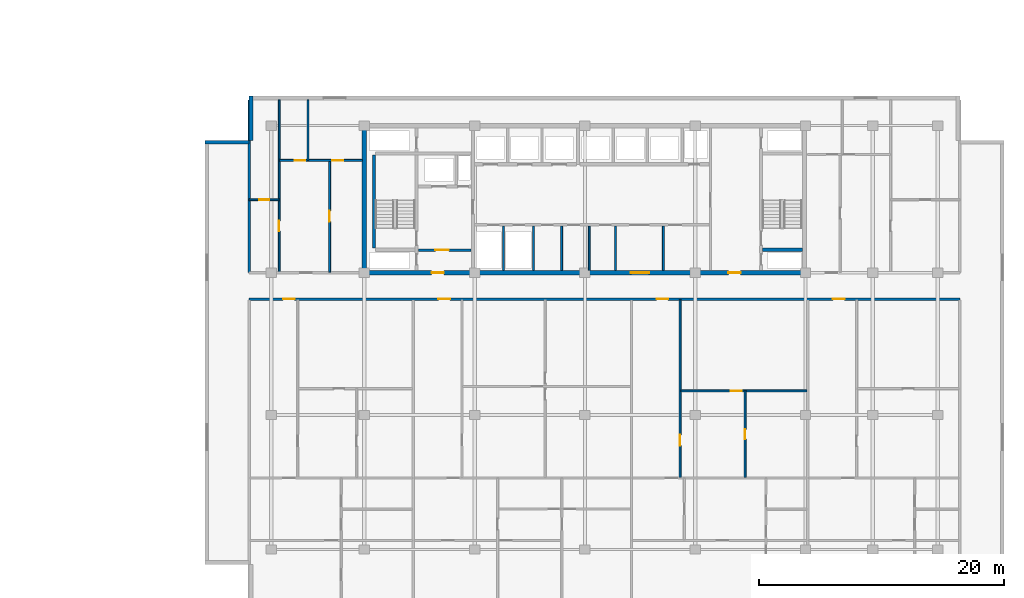
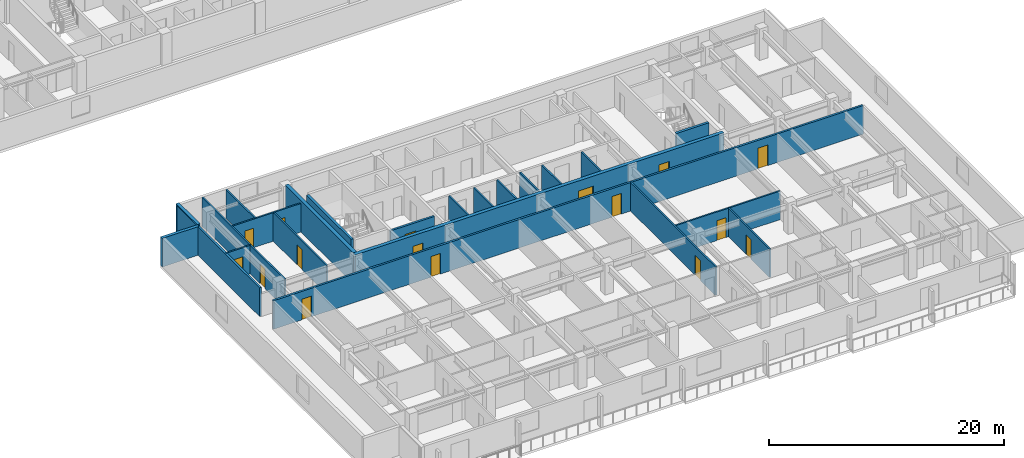
# One storey, part 6 of 22: 23 walls, 16 doors, 16 openings.
"""IFC4 building model written with IfcOpenShell, lengths in metres."""

import ifcopenshell
import ifcopenshell.guid

model = None  # the IFC model being written
_history = None  # IfcOwnerHistory: only IFC2X3 demands one
_inside = {}  # id of a spatial element -> (the spatial element, [elements in it])
_under = {}  # id of a project, library or spatial element -> (it, [spatial elements below it])
_declared = {}  # id of a project -> (the project, [libraries it declares])
_typed = {}  # id of a type object -> (the type object, [elements of that type])
_made_of = {}  # id of a material, layer set ... -> (it, [elements and type objects made of it])


def new_model(schema):
    """Start an empty IFC model of exactly this schema.

    Asked for "IFC4X3", IfcOpenShell would pick the latest addendum, in which some entities
    have other attributes; the version numbers below select the first issue.
    IFC2X3 requires an IfcOwnerHistory on every rooted entity: one is made here for all.
    """
    global model, _history
    if schema == "IFC4X3":
        model = ifcopenshell.file(schema_version=(4, 3, 0, 0))
    else:
        model = ifcopenshell.file(schema=schema)
    _inside.clear()
    _under.clear()
    _declared.clear()
    _typed.clear()
    _made_of.clear()
    _history = None
    if model.schema == "IFC2X3":
        org = make("IfcOrganization", Name="unknown")
        user = make(
            "IfcPersonAndOrganization",
            ThePerson=make("IfcPerson", FamilyName="unknown"),
            TheOrganization=org,
        )
        app = make(
            "IfcApplication",
            ApplicationDeveloper=org,
            Version="unknown",
            ApplicationFullName="unknown",
            ApplicationIdentifier="unknown",
        )
        _history = make(
            "IfcOwnerHistory",
            OwningUser=user,
            OwningApplication=app,
            ChangeAction="ADDED",
            CreationDate=0,
        )
    return model


def make(cls, **values):
    """One entity of the class cls with the attributes given. An attribute that is None is left unset."""
    return model.create_entity(
        cls, **{name: value for name, value in values.items() if value is not None}
    )


def rooted(cls, **values):
    """An entity with a GlobalId (a new one), such as an element, a storey or a relation."""
    return make(cls, GlobalId=ifcopenshell.guid.new(), OwnerHistory=_history, **values)


def si_unit(unit_type, name, prefix=None):
    """IfcSIUnit, for example si_unit("LENGTHUNIT", "METRE", prefix="MILLI")."""
    return make("IfcSIUnit", UnitType=unit_type, Prefix=prefix, Name=name)


def assignment(units):
    """IfcUnitAssignment: the units of a project."""
    return None if units is None else make("IfcUnitAssignment", Units=units)


def point(xyz):
    """IfcCartesianPoint."""
    return None if xyz is None else make("IfcCartesianPoint", Coordinates=xyz)


def direction(xyz):
    """IfcDirection."""
    return None if xyz is None else make("IfcDirection", DirectionRatios=xyz)


def frame(location, z_axis=None, x_axis=None):
    """IfcAxis2Placement3D, a coordinate frame: its origin and axes. An axis left out is left unset."""
    return make(
        "IfcAxis2Placement3D",
        Location=point(location),
        Axis=direction(z_axis),
        RefDirection=direction(x_axis),
    )


def frame_2d(location, x_axis=None):
    """IfcAxis2Placement2D, a coordinate frame in the plane: its origin and x axis."""
    return make(
        "IfcAxis2Placement2D", Location=point(location), RefDirection=direction(x_axis)
    )


def origin():
    """The frame at (0, 0, 0) with its axes left unset."""
    return frame((0.0, 0.0, 0.0))


def place(relative_to, where):
    """IfcLocalPlacement: puts the frame where relative to a parent placement (None: the world)."""
    return make(
        "IfcLocalPlacement", PlacementRelTo=relative_to, RelativePlacement=where
    )


def context(
    kind, dimensions, precision=None, world=None, true_north=None, identifier=None
):
    """IfcGeometricRepresentationContext, for example the 3D "Model" context."""
    return make(
        "IfcGeometricRepresentationContext",
        ContextIdentifier=identifier,
        ContextType=kind,
        CoordinateSpaceDimension=dimensions,
        Precision=precision,
        WorldCoordinateSystem=world,
        TrueNorth=true_north,
    )


def subcontext(parent, identifier, kind, view, scale=None):
    """IfcGeometricRepresentationSubContext, for example "Body" below "Model"."""
    return make(
        "IfcGeometricRepresentationSubContext",
        ContextIdentifier=identifier,
        ContextType=kind,
        ParentContext=parent,
        TargetScale=scale,
        TargetView=view,
    )


def project(units=None, contexts=None):
    """IfcProject with its units and contexts."""
    return rooted(
        "IfcProject",
        Name="project",
        RepresentationContexts=contexts,
        UnitsInContext=assignment(units),
    )


def spatial(cls, under=None, at=None, **own):
    """A site, building, storey or space (cls), placed at a placement, below another one or the project."""
    s = rooted(cls, ObjectPlacement=at, **own)
    if under is not None:
        _under.setdefault(under.id(), (under, []))[1].append(s)
    return s


def profile(cls, at=None, kind="AREA", **sizes):
    """A parametric profile (cls). Its sizes go by their IFC names, for example OverallWidth=200.0."""
    return make(cls, ProfileType=kind, Position=at, **sizes)


def rectangle(**sizes):
    """IfcRectangleProfileDef."""
    return profile("IfcRectangleProfileDef", **sizes)


def extrude(swept, where, along, depth):
    """IfcExtrudedAreaSolid: the profile swept, set in the frame where, extruded along a direction by depth."""
    return make(
        "IfcExtrudedAreaSolid",
        SweptArea=swept,
        Position=where,
        ExtrudedDirection=direction(along),
        Depth=depth,
    )


def shape(context_of_items, identifier, shape_type, items):
    """IfcShapeRepresentation: the items that make up one representation, for example the "Body"."""
    return make(
        "IfcShapeRepresentation",
        ContextOfItems=context_of_items,
        RepresentationIdentifier=identifier,
        RepresentationType=shape_type,
        Items=items,
    )


def material(Name=None, Category=None):
    """IfcMaterial."""
    return make("IfcMaterial", Name=Name, Category=Category)


def layer(
    of_material, thickness, ventilated=None, Name=None, Category=None, Priority=None
):
    """IfcMaterialLayer: one layer of a wall or slab, of a material (None: an air gap)."""
    return make(
        "IfcMaterialLayer",
        Material=of_material,
        LayerThickness=thickness,
        IsVentilated=ventilated,
        Name=Name,
        Category=Category,
        Priority=Priority,
    )


def layer_set(layers, Name=None):
    """IfcMaterialLayerSet."""
    return make("IfcMaterialLayerSet", MaterialLayers=layers, LayerSetName=Name)


def made_of(thing, what):
    """Note that an element or type object is made of a material, layer set ...; save() writes the relation."""
    if what is not None:
        _made_of.setdefault(what.id(), (what, []))[1].append(thing)
    return thing


def type_object(cls, material=None, **own):
    """A type object (cls), such as IfcWallType, which elements share."""
    return made_of(rooted(cls, **own), material)


def element(
    cls,
    number,
    at=None,
    inside=None,
    cuts=None,
    type_object=None,
    material=None,
    context=None,
    identifier="Body",
    shape_type=None,
    held_by="IfcProductDefinitionShape",
    body=None,
    shapes=None,
    **own,
):
    """One element of the class cls, such as IfcWall. Its Tag is "e" and its number.

    at: its placement. inside: the storey or other place that contains it. cuts: it is an
    opening in that element (IfcRelVoidsElement). A single representation is given by context,
    identifier, shape_type and body (its items); several are given by shapes. held_by: the class
    of the entity that holds the representations. save() writes the other relations.
    """
    e = rooted(cls, Tag="e%d" % number, ObjectPlacement=at, **own)
    if body is not None:
        shapes = [shape(context, identifier, shape_type, body)]
    if shapes is not None:
        e.Representation = make(held_by, Representations=shapes)
    if inside is not None:
        _inside.setdefault(inside.id(), (inside, []))[1].append(e)
    if cuts is not None:
        rooted(
            "IfcRelVoidsElement", RelatingBuildingElement=cuts, RelatedOpeningElement=e
        )
    if type_object is not None:
        _typed.setdefault(type_object.id(), (type_object, []))[1].append(e)
    return made_of(e, material)


def fill(opening, filler):
    """IfcRelFillsElement: the door or window that sits in an opening."""
    return rooted(
        "IfcRelFillsElement",
        RelatingOpeningElement=opening,
        RelatedBuildingElement=filler,
    )


def aggregate(whole, parts):
    """IfcRelAggregates: a whole, such as a stair, and the parts it consists of."""
    return rooted("IfcRelAggregates", RelatingObject=whole, RelatedObjects=parts)


def save(model, path):
    """Write the relations noted so far, then the file.

    IfcRelAggregates (storeys below a building ...), IfcRelContainedInSpatialStructure (elements
    in a storey), IfcRelDefinesByType, IfcRelAssociatesMaterial and IfcRelDeclares: one each for
    every whole, place, type object, material and project.
    """
    for whole, parts in _under.values():
        aggregate(whole, parts)
    for where, things in _inside.values():
        rooted(
            "IfcRelContainedInSpatialStructure",
            RelatedElements=things,
            RelatingStructure=where,
        )
    for kind, things in _typed.values():
        rooted("IfcRelDefinesByType", RelatedObjects=things, RelatingType=kind)
    for what, things in _made_of.values():
        rooted("IfcRelAssociatesMaterial", RelatedObjects=things, RelatingMaterial=what)
    for by, libraries in _declared.values():
        rooted("IfcRelDeclares", RelatingContext=by, RelatedDefinitions=libraries)
    model.write(path)


model = new_model("IFC4")

# Units and contexts
model_context = context("Model", 3, precision=1e-05, world=origin(), true_north=direction((0.0, 1.0)))
body_context = subcontext(model_context, "Body", "Model", "MODEL_VIEW")
ifc_project = project(units=[si_unit("LENGTHUNIT", "METRE"), si_unit("AREAUNIT", "SQUARE_METRE"), si_unit("VOLUMEUNIT", "CUBIC_METRE"), si_unit("PLANEANGLEUNIT", "RADIAN"), si_unit("MASSUNIT", "GRAM", prefix="KILO")], contexts=[model_context])

# Site, building, storey
site_placement = place(None, origin())
site = spatial("IfcSite", under=ifc_project, at=site_placement, CompositionType="ELEMENT")
building_placement = place(site_placement, origin())
building = spatial("IfcBuilding", under=site, at=building_placement, Name="Korimba Cascade Residences", CompositionType="ELEMENT")
storey_placement = place(building_placement, frame((0.0, 0.0, 87.300048828125)))
storey = spatial("IfcBuildingStorey", under=building, at=storey_placement, Name="L24", CompositionType="ELEMENT", Elevation=87.300048828125)

# Walls
ifc_material_1 = material(Name="Precast concrete C40/50", Category="concrete")
ifc_layer_1 = layer(ifc_material_1, 0.300048828125)
ifc_layer_set_1 = layer_set([ifc_layer_1], Name="Precast concrete C40/50")
wall_type_1 = type_object("IfcWallType", Name="EW-STONE-300", PredefinedType="STANDARD", material=ifc_layer_set_1)
wall_1_placement = place(storey_placement, frame((72.85009765625, 32.800048828125, 0.0), z_axis=(0.0, 0.0, 1.0), x_axis=(0.0, -1.0, 0.0)))
element("IfcWall", 1, at=wall_1_placement, inside=storey, type_object=wall_type_1, Name="L24 T2 Perimeter Stone Wall E07", PredefinedType="STANDARD", context=body_context, shape_type="SweptSolid", body=[
    extrude(rectangle(XDim=3.60009765625, YDim=0.300048828125, at=frame_2d((1.800048828125, 0.0))), origin(), (0.0, 0.0, 1.0), 2.969970703125),
])
wall_2_placement = place(storey_placement, frame((72.699951171875, 29.050048828125, 0.0), z_axis=(0.0, 0.0, 1.0), x_axis=(-1.0, 0.0, 0.0)))
element("IfcWall", 2, at=wall_2_placement, inside=storey, type_object=wall_type_1, Name="L24 T2 Perimeter Stone Wall E08", PredefinedType="STANDARD", context=body_context, shape_type="SweptSolid", body=[
    extrude(rectangle(XDim=3.599853515625, YDim=0.300048828125, at=frame_2d((1.7998046875, 0.0))), origin(), (0.0, 0.0, 1.0), 2.969970703125),
])
ifc_material_2 = material(Name="Concrete C65/80", Category="concrete")
ifc_layer_2 = layer(ifc_material_2, 0.35009765625)
ifc_layer_set_2 = layer_set([ifc_layer_2], Name="Concrete C65/80")
wall_type_2 = type_object("IfcWallType", Name="WAL-CORE-350", PredefinedType="SHEAR", material=ifc_layer_set_2)
wall_3_placement = place(storey_placement, frame((82.10009765625, 18.574951171875, 0.0), z_axis=(0.0, 0.0, 1.0), x_axis=(0.0, 1.0, 0.0)))
element("IfcWall", 3, at=wall_3_placement, inside=storey, type_object=wall_type_2, Name="L24 Core Shear Wall CW-L24-T2-W", PredefinedType="SHEAR", context=body_context, shape_type="SweptSolid", body=[
    extrude(rectangle(XDim=11.650146484375, YDim=0.35009765625, at=frame_2d((5.8251953125, 0.0))), origin(), (0.0, 0.0, 1.0), 3.25),
])

# Wall, openings, doors
wall_4_placement = place(storey_placement, frame((81.925048828125, 18.39990234375, 0.0), z_axis=(0.0, 0.0, 1.0), x_axis=(1.0, 0.0, 0.0)))
wall_4 = element("IfcWall", 4, at=wall_4_placement, inside=storey, type_object=wall_type_2, Name="L24 Core Shear Wall CW-L24-T2-S", PredefinedType="SHEAR", context=body_context, shape_type="SweptSolid", body=[
    extrude(rectangle(XDim=36.264892578125, YDim=0.35009765625, at=frame_2d((18.13232421875, 0.0))), origin(), (0.0, 0.0, 1.0), 3.25),
])
opening_1_placement = place(wall_4_placement, frame((5.675048828125, 0.0, 0.0)))
opening_1 = element("IfcOpeningElement", 5, at=opening_1_placement, cuts=wall_4, Name="Opening D-FD5", PredefinedType="OPENING", context=body_context, shape_type="SweptSolid", body=[
    extrude(rectangle(XDim=1.0, YDim=2.14990234375, at=frame_2d((0.5, 1.074951171875))), frame((0.0, 0.18505859375, 0.0), z_axis=(0.0, -1.0, 0.0), x_axis=(1.0, 0.0, 0.0)), (0.0, 0.0, 1.0), 0.3701171875),
])
opening_2_placement = place(wall_4_placement, frame((21.925048828125, 0.0, 0.0)))
opening_2 = element("IfcOpeningElement", 6, at=opening_2_placement, cuts=wall_4, Name="Opening D-FD8", PredefinedType="OPENING", context=body_context, shape_type="SweptSolid", body=[
    extrude(rectangle(XDim=1.5, YDim=2.199951171875, at=frame_2d((0.75, 1.10009765625))), frame((0.0, 0.18505859375, 0.0), z_axis=(0.0, -1.0, 0.0), x_axis=(1.0, 0.0, 0.0)), (0.0, 0.0, 1.0), 0.3701171875),
])
opening_3_placement = place(wall_4_placement, frame((29.875, 0.0, 0.0)))
opening_3 = element("IfcOpeningElement", 7, at=opening_3_placement, cuts=wall_4, Name="Opening D-FD5", PredefinedType="OPENING", context=body_context, shape_type="SweptSolid", body=[
    extrude(rectangle(XDim=1.0, YDim=2.14990234375, at=frame_2d((0.5, 1.074951171875))), frame((0.0, 0.18505859375, 0.0), z_axis=(0.0, -1.0, 0.0), x_axis=(1.0, 0.0, 0.0)), (0.0, 0.0, 1.0), 0.3701171875),
])
ifc_material_3 = material(Name="Fire-Rated Acoustic Timber Vestibule Door", Category="wood")
door_type_1 = type_object("IfcDoorType", Name="DR-FD90-1000", OperationType="NOTDEFINED", PredefinedType="DOOR", material=ifc_material_3)
door_1_placement = place(opening_1_placement, origin())
door_1 = element("IfcDoor", 8, at=door_1_placement, inside=storey, type_object=door_type_1, Name="L24 T2 West Core Vestibule Fire Door", OperationType="SINGLE_SWING_RIGHT", OverallHeight=2.14990234375, OverallWidth=1.0, PredefinedType="DOOR", context=body_context, shape_type="SweptSolid", body=[
    extrude(rectangle(XDim=1.0, YDim=2.14990234375, at=frame_2d((0.5, 1.074951171875))), frame((0.0, 0.02490234375, 0.0), z_axis=(0.0, -1.0, 0.0), x_axis=(1.0, 0.0, 0.0)), (0.0, 0.0, 1.0), 0.050048828125),
])
fill(opening_1, door_1)
door_2_placement = place(opening_3_placement, origin())
door_2 = element("IfcDoor", 9, at=door_2_placement, inside=storey, type_object=door_type_1, Name="L24 T2 East Stair Vestibule Fire Door", OperationType="SINGLE_SWING_LEFT", OverallHeight=2.14990234375, OverallWidth=1.0, PredefinedType="DOOR", context=body_context, shape_type="SweptSolid", body=[
    extrude(rectangle(XDim=1.0, YDim=2.14990234375, at=frame_2d((0.5, 1.074951171875))), frame((0.0, 0.02490234375, 0.0), z_axis=(0.0, -1.0, 0.0), x_axis=(1.0, 0.0, 0.0)), (0.0, 0.0, 1.0), 0.050048828125),
])
fill(opening_3, door_2)
ifc_material_4 = material(Name="Fire-Rated Glazed Lift Lobby Double Door", Category="glass")
door_type_2 = type_object("IfcDoorType", Name="DR-FD90-1500", OperationType="NOTDEFINED", PredefinedType="DOOR", material=ifc_material_4)
door_3_placement = place(opening_2_placement, origin())
door_3 = element("IfcDoor", 10, at=door_3_placement, inside=storey, type_object=door_type_2, Name="L24 T2 Lift Lobby Fire Door", OperationType="DOUBLE_DOOR_SINGLE_SWING", OverallHeight=2.199951171875, OverallWidth=1.5, PredefinedType="DOOR", context=body_context, shape_type="SweptSolid", body=[
    extrude(rectangle(XDim=1.5, YDim=2.199951171875, at=frame_2d((0.75, 1.10009765625))), frame((0.0, 0.02490234375, 0.0), z_axis=(0.0, -1.0, 0.0), x_axis=(1.0, 0.0, 0.0)), (0.0, 0.0, 1.0), 0.050048828125),
])
fill(opening_2, door_3)

# Wall
ifc_layer_3 = layer(ifc_material_1, 0.199951171875)
ifc_layer_set_3 = layer_set([ifc_layer_3], Name="Precast concrete C40/50")
wall_type_3 = type_object("IfcWallType", Name="WAL-IT-200", PredefinedType="PARTITIONING", material=ifc_layer_set_3)
wall_5_placement = place(storey_placement, frame((72.699951171875, 18.39990234375, 0.0), z_axis=(0.0, 0.0, 1.0), x_axis=(0.0, 1.0, 0.0)))
element("IfcWall", 11, at=wall_5_placement, inside=storey, type_object=wall_type_3, Name="L24 Partition Wall WAL-L24-T2-FW-WL", PredefinedType="PARTITIONING", context=body_context, shape_type="SweptSolid", body=[
    extrude(rectangle(XDim=14.10009765625, YDim=0.199951171875, at=frame_2d((7.050048828125, 0.0))), origin(), (0.0, 0.0, 1.0), 2.969970703125),
])

# Wall, openings, doors
wall_6_placement = place(storey_placement, frame((72.699951171875, 16.25, 0.0), z_axis=(0.0, 0.0, 1.0), x_axis=(1.0, 0.0, 0.0)))
wall_6 = element("IfcWall", 12, at=wall_6_placement, inside=storey, type_object=wall_type_3, Name="L24 Partition Wall WAL-L24-T2-CORS", PredefinedType="PARTITIONING", context=body_context, shape_type="SweptSolid", body=[
    extrude(rectangle(XDim=58.0, YDim=0.199951171875, at=frame_2d((29.0, 0.0))), origin(), (0.0, 0.0, 1.0), 2.969970703125),
])
opening_4_placement = place(wall_6_placement, frame((2.77001953125, 0.0, 0.0)))
opening_4 = element("IfcOpeningElement", 13, at=opening_4_placement, cuts=wall_6, Name="Opening D-UN1", PredefinedType="OPENING", context=body_context, shape_type="SweptSolid", body=[
    extrude(rectangle(XDim=0.949951171875, YDim=2.14990234375, at=frame_2d((0.47509765625, 1.074951171875))), frame((0.0, 0.10986328125, 0.0), z_axis=(0.0, -1.0, 0.0), x_axis=(1.0, 0.0, 0.0)), (0.0, 0.0, 1.0), 0.219970703125),
])
opening_5_placement = place(wall_6_placement, frame((15.445068359375, 0.0, 0.0)))
opening_5 = element("IfcOpeningElement", 14, at=opening_5_placement, cuts=wall_6, Name="Opening D-UN1", PredefinedType="OPENING", context=body_context, shape_type="SweptSolid", body=[
    extrude(rectangle(XDim=0.949951171875, YDim=2.14990234375, at=frame_2d((0.47509765625, 1.074951171875))), frame((0.0, 0.10986328125, 0.0), z_axis=(0.0, -1.0, 0.0), x_axis=(1.0, 0.0, 0.0)), (0.0, 0.0, 1.0), 0.219970703125),
])
opening_6_placement = place(wall_6_placement, frame((33.2451171875, 0.0, 0.0)))
opening_6 = element("IfcOpeningElement", 15, at=opening_6_placement, cuts=wall_6, Name="Opening D-UN1", PredefinedType="OPENING", context=body_context, shape_type="SweptSolid", body=[
    extrude(rectangle(XDim=0.949951171875, YDim=2.14990234375, at=frame_2d((0.47509765625, 1.074951171875))), frame((0.0, 0.10986328125, 0.0), z_axis=(0.0, -1.0, 0.0), x_axis=(1.0, 0.0, 0.0)), (0.0, 0.0, 1.0), 0.219970703125),
])
opening_7_placement = place(wall_6_placement, frame((47.64501953125, 0.0, 0.0)))
opening_7 = element("IfcOpeningElement", 16, at=opening_7_placement, cuts=wall_6, Name="Opening D-UN1", PredefinedType="OPENING", context=body_context, shape_type="SweptSolid", body=[
    extrude(rectangle(XDim=0.949951171875, YDim=2.14990234375, at=frame_2d((0.47509765625, 1.074951171875))), frame((0.0, 0.10986328125, 0.0), z_axis=(0.0, -1.0, 0.0), x_axis=(1.0, 0.0, 0.0)), (0.0, 0.0, 1.0), 0.219970703125),
])
ifc_material_5 = material(Name="Fire-Rated Hardwood Apartment Entrance Door", Category="wood")
door_type_3 = type_object("IfcDoorType", Name="DR-FD60-950", OperationType="NOTDEFINED", PredefinedType="DOOR", material=ifc_material_5)
door_4_placement = place(opening_4_placement, origin())
door_4 = element("IfcDoor", 17, at=door_4_placement, inside=storey, type_object=door_type_3, Name="Unit L24-T2-U01 Entrance Door", OperationType="SINGLE_SWING_RIGHT", OverallHeight=2.14990234375, OverallWidth=0.949951171875, PredefinedType="DOOR", context=body_context, shape_type="SweptSolid", body=[
    extrude(rectangle(XDim=0.949951171875, YDim=2.14990234375, at=frame_2d((0.47509765625, 1.074951171875))), frame((0.0, 0.02490234375, 0.0), z_axis=(0.0, -1.0, 0.0), x_axis=(1.0, 0.0, 0.0)), (0.0, 0.0, 1.0), 0.050048828125),
])
fill(opening_4, door_4)
door_5_placement = place(opening_5_placement, origin())
door_5 = element("IfcDoor", 18, at=door_5_placement, inside=storey, type_object=door_type_3, Name="Unit L24-T2-U02 Entrance Door", OperationType="SINGLE_SWING_LEFT", OverallHeight=2.14990234375, OverallWidth=0.949951171875, PredefinedType="DOOR", context=body_context, shape_type="SweptSolid", body=[
    extrude(rectangle(XDim=0.949951171875, YDim=2.14990234375, at=frame_2d((0.47509765625, 1.074951171875))), frame((0.0, 0.02490234375, 0.0), z_axis=(0.0, -1.0, 0.0), x_axis=(1.0, 0.0, 0.0)), (0.0, 0.0, 1.0), 0.050048828125),
])
fill(opening_5, door_5)
door_6_placement = place(opening_6_placement, origin())
door_6 = element("IfcDoor", 19, at=door_6_placement, inside=storey, type_object=door_type_3, Name="Unit L24-T2-U03 Entrance Door", OperationType="SINGLE_SWING_RIGHT", OverallHeight=2.14990234375, OverallWidth=0.949951171875, PredefinedType="DOOR", context=body_context, shape_type="SweptSolid", body=[
    extrude(rectangle(XDim=0.949951171875, YDim=2.14990234375, at=frame_2d((0.47509765625, 1.074951171875))), frame((0.0, 0.02490234375, 0.0), z_axis=(0.0, -1.0, 0.0), x_axis=(1.0, 0.0, 0.0)), (0.0, 0.0, 1.0), 0.050048828125),
])
fill(opening_6, door_6)
door_7_placement = place(opening_7_placement, origin())
door_7 = element("IfcDoor", 20, at=door_7_placement, inside=storey, type_object=door_type_3, Name="Unit L24-T2-U04 Entrance Door", OperationType="SINGLE_SWING_LEFT", OverallHeight=2.14990234375, OverallWidth=0.949951171875, PredefinedType="DOOR", context=body_context, shape_type="SweptSolid", body=[
    extrude(rectangle(XDim=0.949951171875, YDim=2.14990234375, at=frame_2d((0.47509765625, 1.074951171875))), frame((0.0, 0.02490234375, 0.0), z_axis=(0.0, -1.0, 0.0), x_axis=(1.0, 0.0, 0.0)), (0.0, 0.0, 1.0), 0.050048828125),
])
fill(opening_7, door_7)

# Walls
ifc_material_6 = material(Name="Insulated Acoustic Stud Partition", Category="gypsum")
ifc_layer_4 = layer(ifc_material_6, 0.14990234375)
ifc_layer_set_4 = layer_set([ifc_layer_4], Name="Insulated Acoustic Stud Partition")
wall_type_4 = type_object("IfcWallType", Name="WAL-PART-150", PredefinedType="PARTITIONING", material=ifc_layer_set_4)
for number, where, z_axis, x_axis, name in (
    (21, (93.449951171875, 18.60009765625, 0.0), (0.0, 0.0, 1.0), (0.0, 1.0, 0.0), "L24 Partition Wall CW-L24-T2-ERDIV"),
    (22, (95.89990234375, 18.60009765625, 0.0), (0.0, 0.0, 1.0), (0.0, 1.0, 0.0), "L24 Partition Wall CW-L24-T2-PRDIV"),
    (23, (98.199951171875, 18.60009765625, 0.0), (0.0, 0.0, 1.0), (0.0, 1.0, 0.0), "L24 Partition Wall CW-L24-T2-CA1W1"),
    (24, (100.449951171875, 18.60009765625, 0.0), (0.0, 0.0, 1.0), (0.0, 1.0, 0.0), "L24 Partition Wall CW-L24-T2-CA1W2"),
    (25, (102.60009765625, 18.60009765625, 0.0), (0.0, 0.0, 1.0), (0.0, 1.0, 0.0), "L24 Partition Wall CW-L24-T2-THW"),
    (26, (106.5, 18.60009765625, 0.0), (0.0, 0.0, 1.0), (0.0, 1.0, 0.0), "L24 Partition Wall CW-L24-T2-THE"),
):
    element("IfcWall", number, at=place(storey_placement, frame(where, z_axis=z_axis, x_axis=x_axis)), inside=storey, type_object=wall_type_4, Name=name, PredefinedType="PARTITIONING", context=body_context, shape_type="SweptSolid", body=[
        extrude(rectangle(XDim=3.599853515625, YDim=0.14990234375, at=frame_2d((1.7998046875, 0.0))), origin(), (0.0, 0.0, 1.0), 2.969970703125),
    ])

# Wall, opening, door
wall_7_placement = place(storey_placement, frame((72.699951171875, 24.35009765625, 0.0), z_axis=(0.0, 0.0, 1.0), x_axis=(1.0, 0.0, 0.0)))
wall_7 = element("IfcWall", 27, at=wall_7_placement, inside=storey, type_object=wall_type_4, Name="L24 Partition Wall WAL-L24-T2-FW-STH", PredefinedType="PARTITIONING", context=body_context, shape_type="SweptSolid", body=[
    extrude(rectangle(XDim=2.449951171875, YDim=0.14990234375, at=frame_2d((1.22509765625, 0.0))), origin(), (0.0, 0.0, 1.0), 2.969970703125),
])
opening_8_placement = place(wall_7_placement, frame((0.804931640625, 0.0, 0.0)))
opening_8 = element("IfcOpeningElement", 28, at=opening_8_placement, cuts=wall_7, Name="Opening D-BT1", PredefinedType="OPENING", context=body_context, shape_type="SweptSolid", body=[
    extrude(rectangle(XDim=0.840087890625, YDim=2.0400390625, at=frame_2d((0.419921875, 1.02001953125))), frame((0.0, 0.0849609375, 0.0), z_axis=(0.0, -1.0, 0.0), x_axis=(1.0, 0.0, 0.0)), (0.0, 0.0, 1.0), 0.169921875),
])
ifc_material_7 = material(Name="Moisture-Resistant Bathroom Timber Door", Category="wood")
door_type_4 = type_object("IfcDoorType", Name="DR-INT-850", OperationType="NOTDEFINED", PredefinedType="DOOR", material=ifc_material_7)
door_8_placement = place(opening_8_placement, origin())
door_8 = element("IfcDoor", 29, at=door_8_placement, inside=storey, type_object=door_type_4, Name="L24-T2-FW Dressing Store Door", OperationType="SINGLE_SWING_LEFT", OverallHeight=2.0400390625, OverallWidth=0.840087890625, PredefinedType="DOOR", context=body_context, shape_type="SweptSolid", body=[
    extrude(rectangle(XDim=0.840087890625, YDim=2.0400390625, at=frame_2d((0.419921875, 1.02001953125))), frame((0.0, 0.02490234375, 0.0), z_axis=(0.0, -1.0, 0.0), x_axis=(1.0, 0.0, 0.0)), (0.0, 0.0, 1.0), 0.050048828125),
])
fill(opening_8, door_8)

wall_8_placement = place(storey_placement, frame((75.14990234375, 18.449951171875, 0.0), z_axis=(0.0, 0.0, 1.0), x_axis=(0.0, 1.0, 0.0)))
wall_8 = element("IfcWall", 30, at=wall_8_placement, inside=storey, type_object=wall_type_4, Name="L24 Partition Wall WAL-L24-T2-FW-STV", PredefinedType="PARTITIONING", context=body_context, shape_type="SweptSolid", body=[
    extrude(rectangle(XDim=14.050048828125, YDim=0.14990234375, at=frame_2d((7.02490234375, 0.0))), origin(), (0.0, 0.0, 1.0), 2.969970703125),
])
opening_9_placement = place(wall_8_placement, frame((3.320068359375, 0.0, 0.0)))
opening_9 = element("IfcOpeningElement", 31, at=opening_9_placement, cuts=wall_8, Name="Opening D-IN2", PredefinedType="OPENING", context=body_context, shape_type="SweptSolid", body=[
    extrude(rectangle(XDim=0.8798828125, YDim=2.06005859375, at=frame_2d((0.43994140625, 1.030029296875))), frame((0.0, 0.0849609375, 0.0), z_axis=(0.0, -1.0, 0.0), x_axis=(1.0, 0.0, 0.0)), (0.0, 0.0, 1.0), 0.169921875),
])
ifc_material_8 = material(Name="Acoustic Timber Bedroom Door", Category="wood")
door_type_5 = type_object("IfcDoorType", Name="DR-INT-880", OperationType="NOTDEFINED", PredefinedType="DOOR", material=ifc_material_8)
door_9_placement = place(opening_9_placement, origin())
door_9 = element("IfcDoor", 32, at=door_9_placement, inside=storey, type_object=door_type_5, Name="L24-T2-FW Study Door", OperationType="SINGLE_SWING_RIGHT", OverallHeight=2.06005859375, OverallWidth=0.8798828125, PredefinedType="DOOR", context=body_context, shape_type="SweptSolid", body=[
    extrude(rectangle(XDim=0.8798828125, YDim=2.06005859375, at=frame_2d((0.43994140625, 1.030029296875))), frame((0.0, 0.02490234375, 0.0), z_axis=(0.0, -1.0, 0.0), x_axis=(1.0, 0.0, 0.0)), (0.0, 0.0, 1.0), 0.050048828125),
])
fill(opening_9, door_9)

wall_9_placement = place(storey_placement, frame((79.27001953125, 18.449951171875, 0.0), z_axis=(0.0, 0.0, 1.0), x_axis=(0.0, 1.0, 0.0)))
wall_9 = element("IfcWall", 33, at=wall_9_placement, inside=storey, type_object=wall_type_4, Name="L24 Partition Wall WAL-L24-T2-FW-VS", PredefinedType="PARTITIONING", context=body_context, shape_type="SweptSolid", body=[
    extrude(rectangle(XDim=9.1201171875, YDim=0.14990234375, at=frame_2d((4.56005859375, 0.0))), origin(), (0.0, 0.0, 1.0), 2.969970703125),
])
opening_10_placement = place(wall_9_placement, frame((4.10009765625, 0.0, 0.0)))
opening_10 = element("IfcOpeningElement", 34, at=opening_10_placement, cuts=wall_9, Name="Opening D-IN1", PredefinedType="OPENING", context=body_context, shape_type="SweptSolid", body=[
    extrude(rectangle(XDim=0.919921875, YDim=2.080078125, at=frame_2d((0.4599609375, 1.0400390625))), frame((0.0, 0.0849609375, 0.0), z_axis=(0.0, -1.0, 0.0), x_axis=(1.0, 0.0, 0.0)), (0.0, 0.0, 1.0), 0.169921875),
])
ifc_material_9 = material(Name="Acoustic Timber Living Door", Category="wood")
door_type_6 = type_object("IfcDoorType", Name="DR-INT-920", OperationType="NOTDEFINED", PredefinedType="DOOR", material=ifc_material_9)
door_10_placement = place(opening_10_placement, origin())
door_10 = element("IfcDoor", 35, at=door_10_placement, inside=storey, type_object=door_type_6, Name="L24-T2-FW Living Door", OperationType="SINGLE_SWING_LEFT", OverallHeight=2.080078125, OverallWidth=0.919921875, PredefinedType="DOOR", context=body_context, shape_type="SweptSolid", body=[
    extrude(rectangle(XDim=0.919921875, YDim=2.080078125, at=frame_2d((0.4599609375, 1.0400390625))), frame((0.0, 0.02490234375, 0.0), z_axis=(0.0, -1.0, 0.0), x_axis=(1.0, 0.0, 0.0)), (0.0, 0.0, 1.0), 0.050048828125),
])
fill(opening_10, door_10)

# Wall
wall_10_placement = place(storey_placement, frame((77.5, 27.570068359375, 0.0), z_axis=(0.0, 0.0, 1.0), x_axis=(0.0, 1.0, 0.0)))
element("IfcWall", 36, at=wall_10_placement, inside=storey, type_object=wall_type_4, Name="L24 Partition Wall WAL-L24-T2-FW-VN", PredefinedType="PARTITIONING", context=body_context, shape_type="SweptSolid", body=[
    extrude(rectangle(XDim=4.929931640625, YDim=0.14990234375, at=frame_2d((2.46484375, 0.0))), origin(), (0.0, 0.0, 1.0), 2.969970703125),
])

# Wall, openings, doors
wall_11_placement = place(storey_placement, frame((75.169921875, 27.570068359375, 0.0), z_axis=(0.0, 0.0, 1.0), x_axis=(1.0, 0.0, 0.0)))
wall_11 = element("IfcWall", 37, at=wall_11_placement, inside=storey, type_object=wall_type_4, Name="L24 Partition Wall WAL-L24-T2-FW-H", PredefinedType="PARTITIONING", context=body_context, shape_type="SweptSolid", body=[
    extrude(rectangle(XDim=6.760009765625, YDim=0.14990234375, at=frame_2d((3.3798828125, 0.0))), origin(), (0.0, 0.0, 1.0), 2.969970703125),
])
opening_11_placement = place(wall_11_placement, frame((1.266357421875, 0.0, 0.0)))
opening_11 = element("IfcOpeningElement", 38, at=opening_11_placement, cuts=wall_11, Name="Opening D-BT1", PredefinedType="OPENING", context=body_context, shape_type="SweptSolid", body=[
    extrude(rectangle(XDim=0.840087890625, YDim=2.0400390625, at=frame_2d((0.419921875, 1.02001953125))), frame((0.0, 0.0849609375, 0.0), z_axis=(0.0, -1.0, 0.0), x_axis=(1.0, 0.0, 0.0)), (0.0, 0.0, 1.0), 0.169921875),
])
opening_12_placement = place(wall_11_placement, frame((4.320068359375, 0.0, 0.0)))
opening_12 = element("IfcOpeningElement", 39, at=opening_12_placement, cuts=wall_11, Name="Opening D-IN2", PredefinedType="OPENING", context=body_context, shape_type="SweptSolid", body=[
    extrude(rectangle(XDim=0.8798828125, YDim=2.06005859375, at=frame_2d((0.43994140625, 1.030029296875))), frame((0.0, 0.0849609375, 0.0), z_axis=(0.0, -1.0, 0.0), x_axis=(1.0, 0.0, 0.0)), (0.0, 0.0, 1.0), 0.169921875),
])
door_11_placement = place(opening_11_placement, origin())
door_11 = element("IfcDoor", 40, at=door_11_placement, inside=storey, type_object=door_type_4, Name="L24-T2-FW Bathroom Door", OperationType="SINGLE_SWING_RIGHT", OverallHeight=2.0400390625, OverallWidth=0.840087890625, PredefinedType="DOOR", context=body_context, shape_type="SweptSolid", body=[
    extrude(rectangle(XDim=0.840087890625, YDim=2.0400390625, at=frame_2d((0.419921875, 1.02001953125))), frame((0.0, 0.02490234375, 0.0), z_axis=(0.0, -1.0, 0.0), x_axis=(1.0, 0.0, 0.0)), (0.0, 0.0, 1.0), 0.050048828125),
])
fill(opening_11, door_11)
door_12_placement = place(opening_12_placement, origin())
door_12 = element("IfcDoor", 41, at=door_12_placement, inside=storey, type_object=door_type_5, Name="L24-T2-FW Bedroom Door", OperationType="SINGLE_SWING_LEFT", OverallHeight=2.06005859375, OverallWidth=0.8798828125, PredefinedType="DOOR", context=body_context, shape_type="SweptSolid", body=[
    extrude(rectangle(XDim=0.8798828125, YDim=2.06005859375, at=frame_2d((0.43994140625, 1.030029296875))), frame((0.0, 0.02490234375, 0.0), z_axis=(0.0, -1.0, 0.0), x_axis=(1.0, 0.0, 0.0)), (0.0, 0.0, 1.0), 0.050048828125),
])
fill(opening_12, door_12)

# Wall, opening, door
wall_12_placement = place(storey_placement, frame((113.175048828125, 1.68994140625, 0.0), z_axis=(0.0, 0.0, 1.0), x_axis=(0.0, 1.0, 0.0)))
wall_12 = element("IfcWall", 42, at=wall_12_placement, inside=storey, type_object=wall_type_4, Name="L24 Partition Wall WAL-L24-T2-U03-FMV", PredefinedType="PARTITIONING", context=body_context, shape_type="SweptSolid", body=[
    extrude(rectangle(XDim=7.070068359375, YDim=0.14990234375, at=frame_2d((3.53515625, 0.0))), origin(), (0.0, 0.0, 1.0), 2.969970703125),
])
opening_13_placement = place(wall_12_placement, frame((3.114990234375, 0.0, 0.0)))
opening_13 = element("IfcOpeningElement", 43, at=opening_13_placement, cuts=wall_12, Name="Opening D-BT1", PredefinedType="OPENING", context=body_context, shape_type="SweptSolid", body=[
    extrude(rectangle(XDim=0.840087890625, YDim=2.0400390625, at=frame_2d((0.419921875, 1.02001953125))), frame((0.0, 0.0849609375, 0.0), z_axis=(0.0, -1.0, 0.0), x_axis=(1.0, 0.0, 0.0)), (0.0, 0.0, 1.0), 0.169921875),
])
door_13_placement = place(opening_13_placement, origin())
door_13 = element("IfcDoor", 44, at=door_13_placement, inside=storey, type_object=door_type_4, Name="L24-T2-U03 Wardrobe Door", OperationType="SINGLE_SWING_RIGHT", OverallHeight=2.0400390625, OverallWidth=0.840087890625, PredefinedType="DOOR", context=body_context, shape_type="SweptSolid", body=[
    extrude(rectangle(XDim=0.840087890625, YDim=2.0400390625, at=frame_2d((0.419921875, 1.02001953125))), frame((0.0, 0.02490234375, 0.0), z_axis=(0.0, -1.0, 0.0), x_axis=(1.0, 0.0, 0.0)), (0.0, 0.0, 1.0), 0.050048828125),
])
fill(opening_13, door_13)

wall_13_placement = place(storey_placement, frame((107.929931640625, 8.760009765625, 0.0), z_axis=(0.0, 0.0, 1.0), x_axis=(1.0, 0.0, 0.0)))
wall_13 = element("IfcWall", 45, at=wall_13_placement, inside=storey, type_object=wall_type_4, Name="L24 Partition Wall WAL-L24-T2-U03-FMH", PredefinedType="PARTITIONING", context=body_context, shape_type="SweptSolid", body=[
    extrude(rectangle(XDim=10.2900390625, YDim=0.14990234375, at=frame_2d((5.14501953125, 0.0))), origin(), (0.0, 0.0, 1.0), 2.969970703125),
])
opening_14_placement = place(wall_13_placement, frame((4.069091796875, 0.0, 0.0)))
opening_14 = element("IfcOpeningElement", 46, at=opening_14_placement, cuts=wall_13, Name="Opening D-IN2", PredefinedType="OPENING", context=body_context, shape_type="SweptSolid", body=[
    extrude(rectangle(XDim=0.8798828125, YDim=2.06005859375, at=frame_2d((0.43994140625, 1.030029296875))), frame((0.0, 0.0849609375, 0.0), z_axis=(0.0, -1.0, 0.0), x_axis=(1.0, 0.0, 0.0)), (0.0, 0.0, 1.0), 0.169921875),
])
door_14_placement = place(opening_14_placement, origin())
door_14 = element("IfcDoor", 47, at=door_14_placement, inside=storey, type_object=door_type_5, Name="L24-T2-U03 Library Salon Door", OperationType="SINGLE_SWING_LEFT", OverallHeight=2.06005859375, OverallWidth=0.8798828125, PredefinedType="DOOR", context=body_context, shape_type="SweptSolid", body=[
    extrude(rectangle(XDim=0.8798828125, YDim=2.06005859375, at=frame_2d((0.43994140625, 1.030029296875))), frame((0.0, 0.02490234375, 0.0), z_axis=(0.0, -1.0, 0.0), x_axis=(1.0, 0.0, 0.0)), (0.0, 0.0, 1.0), 0.050048828125),
])
fill(opening_14, door_14)

wall_14_placement = place(storey_placement, frame((107.8701171875, 1.68994140625, 0.0), z_axis=(0.0, 0.0, 1.0), x_axis=(0.0, 1.0, 0.0)))
wall_14 = element("IfcWall", 48, at=wall_14_placement, inside=storey, type_object=wall_type_4, Name="L24 Partition Wall WAL-L24-T2-U03-FV", PredefinedType="PARTITIONING", context=body_context, shape_type="SweptSolid", body=[
    extrude(rectangle(XDim=14.5, YDim=0.14990234375, at=frame_2d((7.25, 0.0))), origin(), (0.0, 0.0, 1.0), 2.969970703125),
])
opening_15_placement = place(wall_14_placement, frame((2.5859375, 0.0, 0.0)))
opening_15 = element("IfcOpeningElement", 49, at=opening_15_placement, cuts=wall_14, Name="Opening D-IN2", PredefinedType="OPENING", context=body_context, shape_type="SweptSolid", body=[
    extrude(rectangle(XDim=0.8798828125, YDim=2.06005859375, at=frame_2d((0.43994140625, 1.030029296875))), frame((0.0, 0.0849609375, 0.0), z_axis=(0.0, -1.0, 0.0), x_axis=(1.0, 0.0, 0.0)), (0.0, 0.0, 1.0), 0.169921875),
])
door_15_placement = place(opening_15_placement, origin())
door_15 = element("IfcDoor", 50, at=door_15_placement, inside=storey, type_object=door_type_5, Name="L24-T2-U03 Media Lounge Door", OperationType="SINGLE_SWING_RIGHT", OverallHeight=2.06005859375, OverallWidth=0.8798828125, PredefinedType="DOOR", context=body_context, shape_type="SweptSolid", body=[
    extrude(rectangle(XDim=0.8798828125, YDim=2.06005859375, at=frame_2d((0.43994140625, 1.030029296875))), frame((0.0, 0.02490234375, 0.0), z_axis=(0.0, -1.0, 0.0), x_axis=(1.0, 0.0, 0.0)), (0.0, 0.0, 1.0), 0.050048828125),
])
fill(opening_15, door_15)

ifc_material_10 = material(Name="Concrete C40/50", Category="concrete")
ifc_layer_5 = layer(ifc_material_10, 0.199951171875)
ifc_layer_set_5 = layer_set([ifc_layer_5], Name="Concrete C40/50")
wall_type_5 = type_object("IfcWallType", Name="WAL-PART-200", PredefinedType="PARTITIONING", material=ifc_layer_set_5)
wall_15_placement = place(storey_placement, frame((86.5, 20.25, 0.0), z_axis=(0.0, 0.0, 1.0), x_axis=(1.0, 0.0, 0.0)))
wall_15 = element("IfcWall", 51, at=wall_15_placement, inside=storey, type_object=wall_type_5, Name="L24 Partition Wall CW-L24-T2-FFLS", PredefinedType="PARTITIONING", context=body_context, shape_type="SweptSolid", body=[
    extrude(rectangle(XDim=4.320068359375, YDim=0.199951171875, at=frame_2d((2.16015625, 0.0))), origin(), (0.0, 0.0, 1.0), 2.969970703125),
])
opening_16_placement = place(wall_15_placement, frame((1.39990234375, 0.0, 0.0)))
opening_16 = element("IfcOpeningElement", 52, at=opening_16_placement, cuts=wall_15, Name="Opening D-FD1", PredefinedType="OPENING", context=body_context, shape_type="SweptSolid", body=[
    extrude(rectangle(XDim=1.10009765625, YDim=2.10009765625, at=frame_2d((0.550048828125, 1.050048828125))), frame((0.0, 0.10986328125, 0.0), z_axis=(0.0, -1.0, 0.0), x_axis=(1.0, 0.0, 0.0)), (0.0, 0.0, 1.0), 0.219970703125),
])
ifc_material_11 = material(Name="Fire-Rated Steel Core Door", Category="steel")
door_type_7 = type_object("IfcDoorType", Name="DR-FD120-1100", OperationType="NOTDEFINED", PredefinedType="DOOR", material=ifc_material_11)
door_16_placement = place(opening_16_placement, origin())
door_16 = element("IfcDoor", 53, at=door_16_placement, inside=storey, type_object=door_type_7, Name="L24 T2 Firefighting Lobby Door", OperationType="SINGLE_SWING_RIGHT", OverallHeight=2.10009765625, OverallWidth=1.10009765625, PredefinedType="DOOR", context=body_context, shape_type="SweptSolid", body=[
    extrude(rectangle(XDim=1.10009765625, YDim=2.10009765625, at=frame_2d((0.550048828125, 1.050048828125))), frame((0.0, 0.02490234375, 0.0), z_axis=(0.0, -1.0, 0.0), x_axis=(1.0, 0.0, 0.0)), (0.0, 0.0, 1.0), 0.050048828125),
])
fill(opening_16, door_16)

# Walls
ifc_material_12 = material(Name="Concrete C50/60", Category="concrete")
ifc_layer_6 = layer(ifc_material_12, 0.25)
ifc_layer_set_6 = layer_set([ifc_layer_6], Name="Concrete C50/60")
wall_type_6 = type_object("IfcWallType", Name="WAL-SHAFT-250", PredefinedType="SHEAR", material=ifc_layer_set_6)
wall_16_placement = place(storey_placement, frame((82.875, 20.39990234375, 0.0), z_axis=(0.0, 0.0, 1.0), x_axis=(0.0, 1.0, 0.0)))
element("IfcWall", 54, at=wall_16_placement, inside=storey, type_object=wall_type_6, Name="L24 Core Shear Wall CW-L24-T2-STE1W", PredefinedType="SHEAR", context=body_context, shape_type="SweptSolid", body=[
    extrude(rectangle(XDim=7.60009765625, YDim=0.25, at=frame_2d((3.800048828125, 0.0))), origin(), (0.0, 0.0, 1.0), 3.25),
])
wall_17_placement = place(storey_placement, frame((114.60009765625, 20.27490234375, 0.0), z_axis=(0.0, 0.0, 1.0), x_axis=(1.0, 0.0, 0.0)))
element("IfcWall", 55, at=wall_17_placement, inside=storey, type_object=wall_type_6, Name="L24 Core Shear Wall CW-L24-T2-STE2S", PredefinedType="SHEAR", context=body_context, shape_type="SweptSolid", body=[
    extrude(rectangle(XDim=3.239990234375, YDim=0.25, at=frame_2d((1.6201171875, 0.0))), origin(), (0.0, 0.0, 1.0), 3.25),
])

save(model, "model.ifc")
